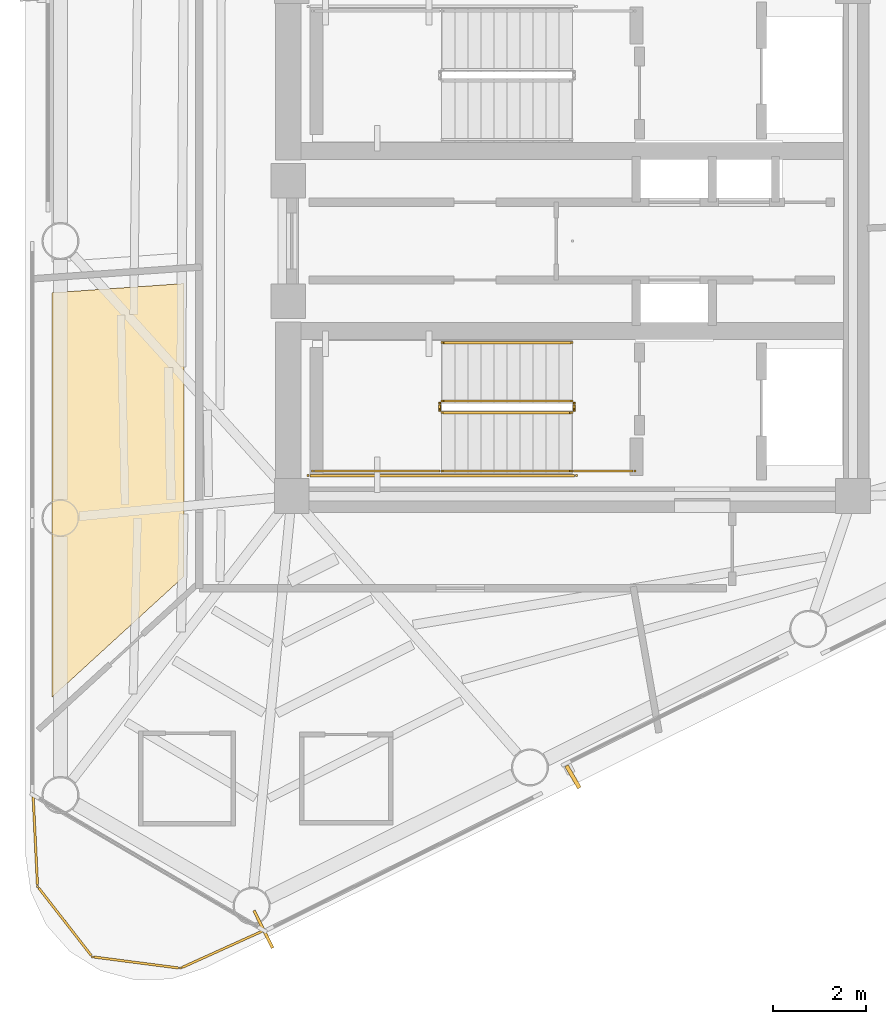
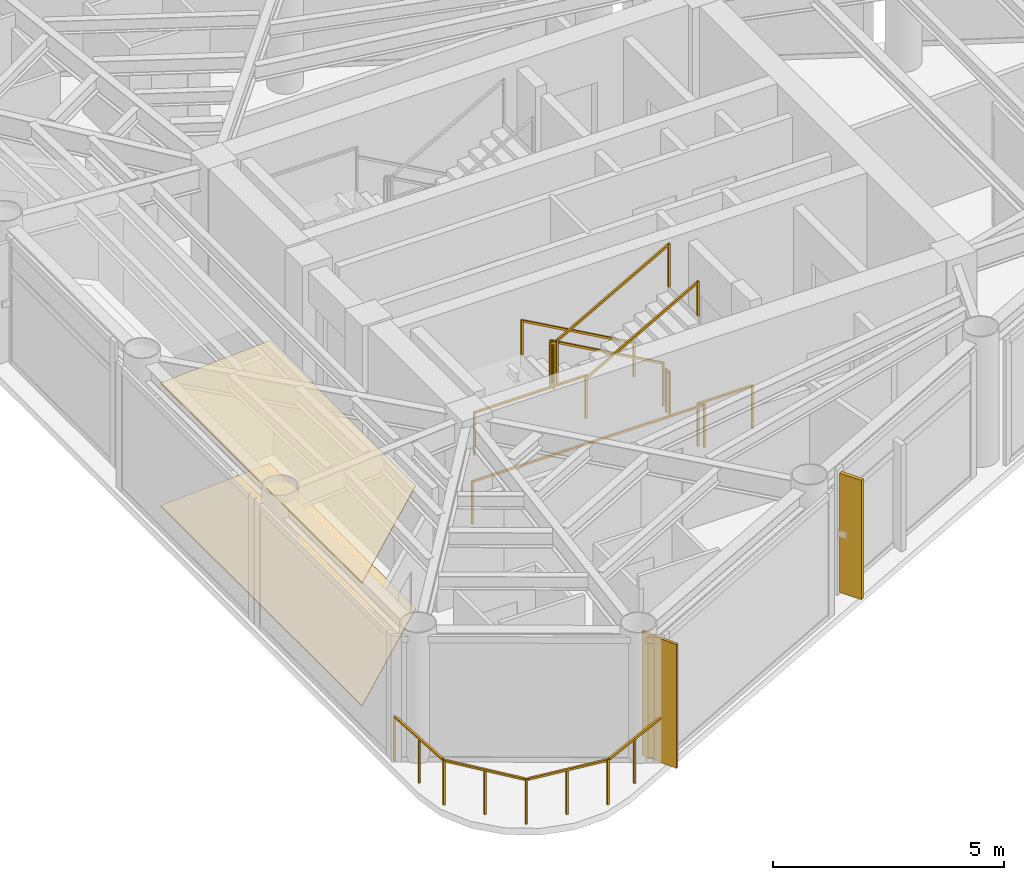
# One storey, part 7 of 10: 10 railings, 3 coverings, 1 shading device.
"""IFC4 building model written with IfcOpenShell, lengths in metres."""

from ifc_helpers import new_model, si_unit, direction, frame, origin, origin_2d, place, context, subcontext, project, spatial, polyline, rectangle, outline, extrude, source, transform, mapped, material, layer, layer_set, material_profile, profile_set, type_object, element, save


model = new_model("IFC4")

# Units and contexts
model_context = context("Model", 3, precision=1e-05, world=origin(), true_north=direction((0.0, 1.0)))
body_context = subcontext(model_context, "Body", "Model", "MODEL_VIEW")
ifc_project = project(units=[si_unit("LENGTHUNIT", "METRE"), si_unit("AREAUNIT", "SQUARE_METRE"), si_unit("VOLUMEUNIT", "CUBIC_METRE"), si_unit("PLANEANGLEUNIT", "RADIAN"), si_unit("MASSUNIT", "GRAM", prefix="KILO")], contexts=[model_context])

# Site, building, storey
site_placement = place(None, origin())
site = spatial("IfcSite", under=ifc_project, at=site_placement, CompositionType="ELEMENT")
building_placement = place(site_placement, origin())
building = spatial("IfcBuilding", under=site, at=building_placement, Name="Yunling Apex Tower", CompositionType="ELEMENT")
storey_placement = place(building_placement, frame((0.0, 0.0, 300.199951171875)))
storey = spatial("IfcBuildingStorey", under=building, at=storey_placement, Name="L73", CompositionType="ELEMENT", Elevation=300.199951171875)

# Coverings
ifc_material_1 = material(Name="Acoustic mineral fibre ceiling")
ifc_layer_1 = layer(ifc_material_1, 0.02490234375)
ifc_layer_set_1 = layer_set([ifc_layer_1], Name="Acoustic mineral fibre ceiling")
covering_type_1 = type_object("IfcCoveringType", Name="CV-CLG-1", PredefinedType="CEILING", material=ifc_layer_set_1)
covering_1_placement = place(storey_placement, frame((0.0, 0.0, 3.2451171875)))
element("IfcCovering", 1, at=covering_1_placement, inside=storey, type_object=covering_type_1, Name="CV-CL-SP-L73-U1BED", PredefinedType="CEILING", context=body_context, shape_type="SweptSolid", body=[
    extrude(outline(polyline([(-11.21728515625, -9.8330078125), (-11.21728515625, -1.115234375), (-8.3701171875, -0.916015625), (-8.3701171875, -7.22705078125), (-11.21728515625, -9.8330078125)])), origin(), (0.0, 0.0, 1.0), 0.02490234375),
])
ifc_material_2 = material(Name="Polished granite stone", Category="masonry")
ifc_layer_2 = layer(ifc_material_2, 0.030029296875)
ifc_layer_set_2 = layer_set([ifc_layer_2], Name="Polished granite stone")
covering_type_2 = type_object("IfcCoveringType", Name="CV-FLR-1", PredefinedType="FLOORING", material=ifc_layer_set_2)
covering_2_placement = place(storey_placement, origin())
element("IfcCovering", 2, at=covering_2_placement, inside=storey, type_object=covering_type_2, Name="CV-FL-SP-L73-U1BED", PredefinedType="FLOORING", context=body_context, shape_type="SweptSolid", body=[
    extrude(outline(polyline([(-11.21728515625, -9.8330078125), (-11.21728515625, -1.115234375), (-8.3701171875, -0.916015625), (-8.3701171875, -7.22705078125), (-11.21728515625, -9.8330078125)])), origin(), (0.0, 0.0, 1.0), 0.030029296875),
])

# Railings
ifc_material_3 = material(Name="Bronze anodised aluminium", Category="aluminium")
railing_type_1 = type_object("IfcRailingType", Name="RL-BAL-1200", PredefinedType="BALUSTRADE", material=ifc_material_3)
railing_1_placement = place(storey_placement, frame((-6.651123046875, -14.864990234375, 0.0)))
element("IfcRailing", 3, at=railing_1_placement, inside=storey, type_object=railing_type_1, Name="RL-CRNSILL-L73-3", PredefinedType="BALUSTRADE", context=body_context, shape_type="SweptSolid", body=[
    extrude(rectangle(XDim=0.0439453125, YDim=0.0439453125, at=origin_2d()), origin(), (0.0, 0.0, 1.0), 1.199951171875),
    extrude(rectangle(XDim=0.0439453125, YDim=0.0439453125, at=origin_2d()), frame((-1.799560546875, -0.814697265625, 0.0)), (0.0, 0.0, 1.0), 1.199951171875),
    extrude(rectangle(XDim=0.050048828125, YDim=0.050048828125, at=origin_2d()), frame((-0.034912109375, -0.015869140625, 1.1748046875), z_axis=(-0.910991856267, -0.412424341929, 0.0), x_axis=(0.412424341929, -0.910991856267, 0.0)), (0.0, 0.0, 1.0), 1.898681640625),
    extrude(rectangle(XDim=0.0439453125, YDim=0.0439453125, at=origin_2d()), frame((-0.89990234375, -0.4072265625, 0.0)), (0.0, 0.0, 1.0), 1.14599609375),
    extrude(rectangle(XDim=0.0439453125, YDim=0.0439453125, at=origin_2d()), frame((-3.69921875, -0.568603515625, 0.0)), (0.0, 0.0, 1.0), 1.199951171875),
    extrude(rectangle(XDim=0.050048828125, YDim=0.050048828125, at=origin_2d()), frame((-1.837646484375, -0.809814453125, 1.1748046875), z_axis=(-0.991713034877, 0.128472784881, 0.0), x_axis=(-0.128472784881, -0.991713034877, 0.0)), (0.0, 0.0, 1.0), 1.8388671875),
    extrude(rectangle(XDim=0.0439453125, YDim=0.0439453125, at=origin_2d()), frame((-2.74951171875, -0.691650390625, 0.0)), (0.0, 0.0, 1.0), 1.14599609375),
    extrude(rectangle(XDim=0.0439453125, YDim=0.0439453125, at=origin_2d()), frame((-4.880126953125, 0.947265625, 0.0)), (0.0, 0.0, 1.0), 1.199951171875),
    extrude(rectangle(XDim=0.050048828125, YDim=0.050048828125, at=origin_2d()), frame((-3.72265625, -0.538330078125, 1.1748046875), z_axis=(-0.61455614591, 0.788873084548, 0.0), x_axis=(-0.788873084548, -0.61455614591, 0.0)), (0.0, 0.0, 1.0), 1.844970703125),
    extrude(rectangle(XDim=0.0439453125, YDim=0.0439453125, at=origin_2d()), frame((-4.28955078125, 0.189453125, 0.0)), (0.0, 0.0, 1.0), 1.14599609375),
    extrude(rectangle(XDim=0.0439453125, YDim=0.0439453125, at=origin_2d()), frame((-4.97607421875, 2.919677734375, 0.0)), (0.0, 0.0, 1.0), 1.199951171875),
    extrude(rectangle(XDim=0.050048828125, YDim=0.050048828125, at=origin_2d()), frame((-4.882080078125, 0.985595703125, 1.1748046875), z_axis=(-0.048587182269, 0.998818945415, 0.0), x_axis=(-0.998818945415, -0.048587182269, 0.0)), (0.0, 0.0, 1.0), 1.898193359375),
    extrude(rectangle(XDim=0.0439453125, YDim=0.0439453125, at=origin_2d()), frame((-4.92822265625, 1.93359375, 0.0)), (0.0, 0.0, 1.0), 1.14599609375),
])
ifc_material_4 = material(Name="Steel Q355B", Category="steel")
railing_type_2 = type_object("IfcRailingType", Name="RL-GRD-1150", PredefinedType="GUARDRAIL", material=ifc_material_4)
railing_2_placement = place(storey_placement, frame((-0.010009765625, -3.449951171875, 0.156982421875)))
element("IfcRailing", 4, at=railing_2_placement, inside=storey, type_object=railing_type_2, Name="L73 ST-2 stair guard 1", PredefinedType="GUARDRAIL", context=body_context, shape_type="SweptSolid", body=[
    extrude(rectangle(XDim=0.0439453125, YDim=0.0439453125, at=origin_2d()), origin(), (0.0, 0.0, 1.0), 1.14990234375),
    extrude(rectangle(XDim=0.0439453125, YDim=0.0439453125, at=origin_2d()), frame((-2.800048828125, 0.0, 1.568115234375)), (0.0, 0.0, 1.0), 1.14990234375),
    extrude(rectangle(XDim=0.050048828125, YDim=0.050048828125, at=origin_2d()), frame((-0.033447265625, 0.0, 1.1435546875), z_axis=(-0.872494340497, 0.0, 0.48862421737), x_axis=(0.0, -1.0, 0.0)), (0.0, 0.0, 1.0), 3.132568359375),
])
railing_3_placement = place(storey_placement, frame((-2.860107421875, -3.5, 1.72509765625)))
element("IfcRailing", 5, at=railing_3_placement, inside=storey, type_object=railing_type_2, Name="L73 ST-2 stair guard 2", PredefinedType="GUARDRAIL", context=body_context, shape_type="SweptSolid", body=[
    extrude(rectangle(XDim=0.0439453125, YDim=0.0439453125, at=origin_2d()), origin(), (0.0, 0.0, 1.0), 1.14990234375),
    extrude(rectangle(XDim=0.0439453125, YDim=0.0439453125, at=origin_2d()), frame((0.0, -0.14990234375, 0.0)), (0.0, 0.0, 1.0), 1.14990234375),
    extrude(rectangle(XDim=0.050048828125, YDim=0.050048828125, at=origin_2d()), frame((0.0, -0.038330078125, 1.125), z_axis=(0.0, -1.0, 0.0), x_axis=(1.0, 0.0, 0.0)), (0.0, 0.0, 1.0), 0.0732421875),
])
railing_4_placement = place(storey_placement, frame((-2.81005859375, -4.9599609375, 1.72509765625)))
element("IfcRailing", 6, at=railing_4_placement, inside=storey, type_object=railing_type_2, Name="L73 ST-2 stair guard 3", PredefinedType="GUARDRAIL", context=body_context, shape_type="SweptSolid", body=[
    extrude(rectangle(XDim=0.0439453125, YDim=0.0439453125, at=origin_2d()), origin(), (0.0, 0.0, 1.0), 1.14990234375),
    extrude(rectangle(XDim=0.0439453125, YDim=0.0439453125, at=origin_2d()), frame((-2.7900390625, 0.0, 0.0)), (0.0, 0.0, 1.0), 1.14990234375),
    extrude(rectangle(XDim=0.050048828125, YDim=0.050048828125, at=origin_2d()), frame((-0.038330078125, 0.0, 1.125), z_axis=(-1.0, 0.0, 0.0), x_axis=(0.0, -1.0, 0.0)), (0.0, 0.0, 1.0), 2.71337890625),
])
railing_5_placement = place(storey_placement, frame((-2.81005859375, -3.699951171875, 1.8818359375)))
element("IfcRailing", 7, at=railing_5_placement, inside=storey, type_object=railing_type_2, Name="L73 ST-2 stair guard 4", PredefinedType="GUARDRAIL", context=body_context, shape_type="SweptSolid", body=[
    extrude(rectangle(XDim=0.0439453125, YDim=0.0439453125, at=origin_2d()), origin(), (0.0, 0.0, 1.0), 1.14990234375),
    extrude(rectangle(XDim=0.0439453125, YDim=0.0439453125, at=origin_2d()), frame((2.800048828125, 0.0, 1.568115234375)), (0.0, 0.0, 1.0), 1.14990234375),
    extrude(rectangle(XDim=0.050048828125, YDim=0.050048828125, at=origin_2d()), frame((0.033447265625, 0.0, 1.1435546875), z_axis=(0.872494340497, 0.0, 0.48862421737), x_axis=(0.0, 1.0, 0.0)), (0.0, 0.0, 1.0), 3.132568359375),
])
railing_6_placement = place(storey_placement, frame((0.0400390625, -3.5, 0.0)))
element("IfcRailing", 8, at=railing_6_placement, inside=storey, type_object=railing_type_2, Name="L73 ST-2 stair guard 5", PredefinedType="GUARDRAIL", context=body_context, shape_type="SweptSolid", body=[
    extrude(rectangle(XDim=0.0439453125, YDim=0.0439453125, at=origin_2d()), origin(), (0.0, 0.0, 1.0), 1.14990234375),
    extrude(rectangle(XDim=0.0439453125, YDim=0.0439453125, at=origin_2d()), frame((0.0, -0.14990234375, 0.0)), (0.0, 0.0, 1.0), 1.14990234375),
    extrude(rectangle(XDim=0.050048828125, YDim=0.050048828125, at=origin_2d()), frame((0.0, -0.038330078125, 1.125), z_axis=(0.0, -1.0, 0.0), x_axis=(1.0, 0.0, 0.0)), (0.0, 0.0, 1.0), 0.0732421875),
])
railing_7_placement = place(storey_placement, frame((1.35009765625, -4.9599609375, 0.0)))
element("IfcRailing", 9, at=railing_7_placement, inside=storey, type_object=railing_type_2, Name="L73 ST-2 stair guard 6", PredefinedType="GUARDRAIL", context=body_context, shape_type="SweptSolid", body=[
    extrude(rectangle(XDim=0.0439453125, YDim=0.0439453125, at=origin_2d()), origin(), (0.0, 0.0, 1.0), 1.14990234375),
    extrude(rectangle(XDim=0.0439453125, YDim=0.0439453125, at=origin_2d()), frame((-1.360107421875, 0.0, 0.0)), (0.0, 0.0, 1.0), 1.14990234375),
    extrude(rectangle(XDim=0.050048828125, YDim=0.050048828125, at=origin_2d()), frame((-0.038330078125, 0.0, 1.125), z_axis=(-1.0, 0.0, 0.0), x_axis=(0.0, -1.0, 0.0)), (0.0, 0.0, 1.0), 1.283447265625),
])
railing_8_placement = place(storey_placement, frame((0.090087890625, -5.06005859375, 0.0)))
element("IfcRailing", 10, at=railing_8_placement, inside=storey, type_object=railing_type_2, Name="L73 ST-2 stair guard 7", PredefinedType="GUARDRAIL", context=body_context, shape_type="SweptSolid", body=[
    extrude(rectangle(XDim=0.0439453125, YDim=0.0439453125, at=origin_2d()), origin(), (0.0, 0.0, 1.0), 1.14990234375),
    extrude(rectangle(XDim=0.0439453125, YDim=0.0439453125, at=origin_2d()), frame((-5.7900390625, 0.0, 0.0)), (0.0, 0.0, 1.0), 1.14990234375),
    extrude(rectangle(XDim=0.050048828125, YDim=0.050048828125, at=origin_2d()), frame((-0.038330078125, 0.0, 1.125), z_axis=(-1.0, 0.0, 0.0), x_axis=(0.0, -1.0, 0.0)), (0.0, 0.0, 1.0), 5.71337890625),
])
ifc_material_5 = material(Name="Silver anodised aluminium", Category="aluminium")
railing_type_3 = type_object("IfcRailingType", Name="RL-HND-900", PredefinedType="HANDRAIL", material=ifc_material_5)
railing_9_placement = place(storey_placement, frame((-0.010009765625, -2.18994140625, 0.156982421875)))
element("IfcRailing", 11, at=railing_9_placement, inside=storey, type_object=railing_type_3, Name="L73 ST-2 stair handrail 1", PredefinedType="HANDRAIL", context=body_context, shape_type="SweptSolid", body=[
    extrude(rectangle(XDim=0.0439453125, YDim=0.0439453125, at=origin_2d()), origin(), (0.0, 0.0, 1.0), 0.919921875),
    extrude(rectangle(XDim=0.0439453125, YDim=0.0439453125, at=origin_2d()), frame((-2.800048828125, 0.0, 1.568115234375)), (0.0, 0.0, 1.0), 0.919921875),
    extrude(rectangle(XDim=0.050048828125, YDim=0.050048828125, at=origin_2d()), frame((-0.033447265625, 0.0, 0.91357421875), z_axis=(-0.872494340497, 0.0, 0.48862421737), x_axis=(0.0, -1.0, 0.0)), (0.0, 0.0, 1.0), 3.132568359375),
])
railing_10_placement = place(storey_placement, frame((-2.81005859375, -4.9599609375, 1.8818359375)))
element("IfcRailing", 12, at=railing_10_placement, inside=storey, type_object=railing_type_3, Name="L73 ST-2 stair handrail 2", PredefinedType="HANDRAIL", context=body_context, shape_type="SweptSolid", body=[
    extrude(rectangle(XDim=0.0439453125, YDim=0.0439453125, at=origin_2d()), origin(), (0.0, 0.0, 1.0), 0.919921875),
    extrude(rectangle(XDim=0.0439453125, YDim=0.0439453125, at=origin_2d()), frame((2.800048828125, 0.0, 1.568115234375)), (0.0, 0.0, 1.0), 0.919921875),
    extrude(rectangle(XDim=0.050048828125, YDim=0.050048828125, at=origin_2d()), frame((0.033447265625, 0.0, 0.91357421875), z_axis=(0.872494340497, 0.0, 0.48862421737), x_axis=(0.0, 1.0, 0.0)), (0.0, 0.0, 1.0), 3.132568359375),
])

# Covering
ifc_layer_3 = layer(ifc_material_3, 0.0400390625)
ifc_layer_set_3 = layer_set([ifc_layer_3], Name="Bronze anodised aluminium")
covering_type_3 = type_object("IfcCoveringType", Name="CV-CLD-1", PredefinedType="CLADDING", material=ifc_layer_set_3)
shared_shape_1 = source(origin(), body_context, "Body", "SweptSolid", [
    extrude(rectangle(XDim=0.06005859375, YDim=0.89990234375, at=origin_2d()), origin(), (0.0, 0.0, 1.0), 3.27001953125),
])
covering_3_placement = place(storey_placement, frame((-6.66455078125, -14.837890625, 0.0), z_axis=(0.0, 0.0, 1.0), x_axis=(0.895245648325, 0.445572922377, 0.0)))
element("IfcCovering", 13, at=covering_3_placement, inside=storey, type_object=covering_type_3, Name="CV-CLD-L73", PredefinedType="CLADDING", context=body_context, shape_type="MappedRepresentation", body=[
    mapped(shared_shape_1, transform((0.0, 0.0, 0.0), scale=1.0)),
])

# Shading device
ifc_material_profile = material_profile(ifc_material_3, rectangle(XDim=0.0849609375, YDim=0.550048828125, at=origin_2d()))
ifc_profile_set = profile_set([ifc_material_profile], Name="Bronze anodised aluminium")
shading_device_type = type_object("IfcShadingDeviceType", Name="FN-BRZ-3", PredefinedType="USERDEFINED", material=ifc_profile_set)
shared_shape_2 = source(origin(), body_context, "Body", "SweptSolid", [
    extrude(rectangle(XDim=0.0849609375, YDim=0.550048828125, at=origin_2d()), origin(), (0.0, 0.0, 1.0), 3.14990234375),
])
shading_device_placement = place(storey_placement, frame((0.013671875, -11.553466796875, 0.06005859375), z_axis=(0.0, 0.0, 1.0), x_axis=(0.864186995248, 0.503170783377, 0.0)))
element("IfcShadingDevice", 14, at=shading_device_placement, inside=storey, type_object=shading_device_type, Name="CW-L73-F1-B2-FIN-01", ObjectType="FIN", PredefinedType="USERDEFINED", context=body_context, shape_type="MappedRepresentation", body=[
    mapped(shared_shape_2, transform((0.0, 0.0, 0.0), scale=1.0)),
])

save(model, "model.ifc")
